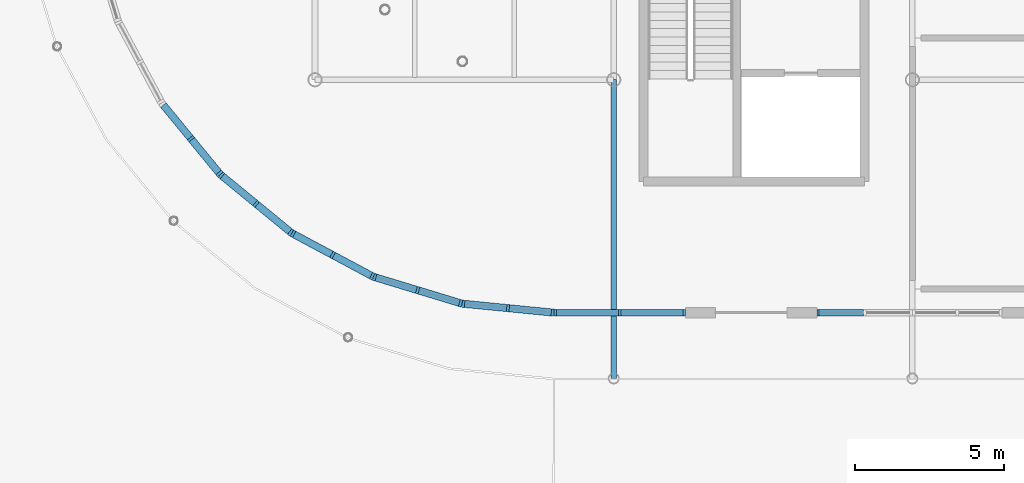
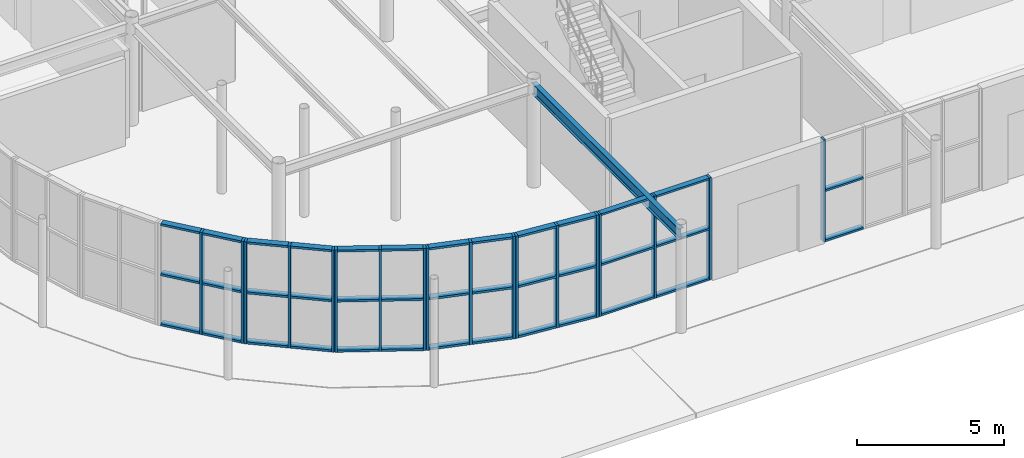
# One storey, part 52 of 119: 56 members, 1 beam, 7 elements without a shape of their own.
"""IFC4 building model written with IfcOpenShell, lengths in metres."""

from ifc_helpers import new_model, si_unit, derived_unit, direction, frame, origin, origin_2d_with_axis, place, context, subcontext, project, spatial, rectangle, i_section, extrude, material, material_profile, profile_set, type_object, element, aggregate, save


model = new_model("IFC4")

# Units and contexts
model_context = context("Model", 3, precision=1e-05, world=origin(), true_north=direction((0.0, 1.0)))
body_context = subcontext(model_context, "Body", "Model", "MODEL_VIEW")
ifc_project = project(units=[si_unit("LENGTHUNIT", "METRE"), si_unit("AREAUNIT", "SQUARE_METRE"), si_unit("VOLUMEUNIT", "CUBIC_METRE"), si_unit("PLANEANGLEUNIT", "RADIAN"), si_unit("MASSUNIT", "GRAM", prefix="KILO"), derived_unit("THERMALTRANSMITTANCEUNIT", [(si_unit("POWERUNIT", "WATT"), 1), (si_unit("LENGTHUNIT", "METRE"), -2), (si_unit("THERMODYNAMICTEMPERATUREUNIT", "KELVIN"), -1)])], contexts=[model_context])

# Site, building, storey
site_placement = place(None, origin())
site = spatial("IfcSite", under=ifc_project, at=site_placement, CompositionType="ELEMENT")
building_placement = place(site_placement, origin())
building = spatial("IfcBuilding", under=site, at=building_placement, Name="Cinnabar Yard Market Hall", CompositionType="ELEMENT")
storey_placement = place(building_placement, origin())
storey = spatial("IfcBuildingStorey", under=building, at=storey_placement, Name="L00", CompositionType="ELEMENT", Elevation=0.0)

# Beam
ifc_material_1 = material(Name="Steel Grade 300 (300 MPa)", Category="steel")
ifc_material_profile_1 = material_profile(ifc_material_1, i_section(OverallWidth=0.18994140625, OverallDepth=0.453857421875, WebThickness=0.008544921875, FlangeThickness=0.0126953125, FilletRadius=0.011474609375, at=origin_2d_with_axis()), Name="460UB67.1")
ifc_profile_set_1 = profile_set([ifc_material_profile_1], Name="Steel Grade 300 (300 MPa)")
beam_type = type_object("IfcBeamType", Name="BM-B05E", PredefinedType="BEAM", material=ifc_profile_set_1)
beam_placement = place(storey_placement, frame((86.0, 24.0, 4.01318359375), z_axis=(0.0, -1.0, 0.0), x_axis=(1.0, 0.0, 0.0)))
element("IfcBeam", 1, at=beam_placement, inside=storey, type_object=beam_type, Name="L00 Gallery South Tie 00182", PredefinedType="BEAM", context=body_context, shape_type="SweptSolid", body=[
    extrude(i_section(OverallWidth=0.18994140625, OverallDepth=0.453857421875, WebThickness=0.008544921875, FlangeThickness=0.0126953125, FilletRadius=0.011474609375, at=origin_2d_with_axis()), origin(), (0.0, 0.0, 1.0), 10.0),
])

# Curtain wall, members
ifc_material_2 = material(Name="Anodised bronze aluminium curved-chord facade", Category="aluminium")
curtain_wall_type_1 = type_object("IfcCurtainWallType", Name="CW-CWC031x42", PredefinedType="NOTDEFINED", material=ifc_material_2)
curtain_wall_1_placement = place(storey_placement, origin())
curtain_wall_1 = element("IfcCurtainWall", 2, at=curtain_wall_1_placement, inside=storey, type_object=curtain_wall_type_1, Name="Corner SW Chord 4 L00", PredefinedType="NOTDEFINED")
ifc_material_3 = material(Name="Anodised bronze aluminium", Category="aluminium")
ifc_material_profile_2 = material_profile(ifc_material_3, rectangle(XDim=0.239990234375, YDim=0.090087890625, at=origin_2d_with_axis()), Name="MUL-CWC")
ifc_profile_set_2 = profile_set([ifc_material_profile_2], Name="Anodised bronze aluminium")
member_type_1 = type_object("IfcMemberType", Name="CWM-CWC", PredefinedType="MULLION", material=ifc_profile_set_2)
member_1_placement = place(storey_placement, frame((71.84521484375, 22.02490234375, 0.0), z_axis=(0.0, 0.0, 1.0), x_axis=(0.773018564222, 0.634383400924, 0.0)))
member_1 = element("IfcMember", 3, at=member_1_placement, type_object=member_type_1, Name="CWC031x42 mullion 2", PredefinedType="MULLION", context=body_context, shape_type="SweptSolid", body=[
    extrude(rectangle(XDim=0.239990234375, YDim=0.090087890625, at=origin_2d_with_axis()), origin(), (0.0, 0.0, 1.0), 4.239990234375),
])
member_2_placement = place(storey_placement, frame((72.799072265625, 20.862548828125, 0.0), z_axis=(0.0, 0.0, 1.0), x_axis=(0.773018564222, 0.634383400924, 0.0)))
member_2 = element("IfcMember", 4, at=member_2_placement, type_object=member_type_1, Name="CWC031x42 mullion 3", PredefinedType="MULLION", context=body_context, shape_type="SweptSolid", body=[
    extrude(rectangle(XDim=0.239990234375, YDim=0.090087890625, at=origin_2d_with_axis()), origin(), (0.0, 0.0, 1.0), 4.239990234375),
])

curtain_wall_2_placement = place(storey_placement, origin())
curtain_wall_2 = element("IfcCurtainWall", 5, at=curtain_wall_2_placement, inside=storey, type_object=curtain_wall_type_1, Name="Corner SW Chord 5 L00", PredefinedType="NOTDEFINED")
member_3_placement = place(storey_placement, frame((72.862548828125, 20.799072265625, 0.0), z_axis=(0.0, 0.0, 1.0), x_axis=(0.634383400924, 0.773018564222, 0.0)))
member_3 = element("IfcMember", 6, at=member_3_placement, type_object=member_type_1, Name="CWC031x42 mullion 1", PredefinedType="MULLION", context=body_context, shape_type="SweptSolid", body=[
    extrude(rectangle(XDim=0.239990234375, YDim=0.090087890625, at=origin_2d_with_axis()), origin(), (0.0, 0.0, 1.0), 4.239990234375),
])
member_4_placement = place(storey_placement, frame((74.02490234375, 19.84521484375, 0.0), z_axis=(0.0, 0.0, 1.0), x_axis=(0.634383400924, 0.773018564222, 0.0)))
member_4 = element("IfcMember", 7, at=member_4_placement, type_object=member_type_1, Name="CWC031x42 mullion 2", PredefinedType="MULLION", context=body_context, shape_type="SweptSolid", body=[
    extrude(rectangle(XDim=0.239990234375, YDim=0.090087890625, at=origin_2d_with_axis()), origin(), (0.0, 0.0, 1.0), 4.239990234375),
])
member_5_placement = place(storey_placement, frame((75.187255859375, 18.891357421875, 0.0), z_axis=(0.0, 0.0, 1.0), x_axis=(0.634383400924, 0.773018564222, 0.0)))
member_5 = element("IfcMember", 8, at=member_5_placement, type_object=member_type_1, Name="CWC031x42 mullion 3", PredefinedType="MULLION", context=body_context, shape_type="SweptSolid", body=[
    extrude(rectangle(XDim=0.239990234375, YDim=0.090087890625, at=origin_2d_with_axis()), origin(), (0.0, 0.0, 1.0), 4.239990234375),
])

curtain_wall_3_placement = place(storey_placement, origin())
curtain_wall_3 = element("IfcCurtainWall", 9, at=curtain_wall_3_placement, inside=storey, type_object=curtain_wall_type_1, Name="Corner SW Chord 6 L00", PredefinedType="NOTDEFINED")
member_6_placement = place(storey_placement, frame((75.26171875, 18.841552734375, 0.0), z_axis=(0.0, 0.0, 1.0), x_axis=(0.471404114786, 0.881917320707, 0.0)))
member_6 = element("IfcMember", 10, at=member_6_placement, type_object=member_type_1, Name="CWC031x42 mullion 1", PredefinedType="MULLION", context=body_context, shape_type="SweptSolid", body=[
    extrude(rectangle(XDim=0.239990234375, YDim=0.090087890625, at=origin_2d_with_axis()), origin(), (0.0, 0.0, 1.0), 4.239990234375),
])
member_7_placement = place(storey_placement, frame((76.587890625, 18.1328125, 0.0), z_axis=(0.0, 0.0, 1.0), x_axis=(0.471404114786, 0.881917320707, 0.0)))
member_7 = element("IfcMember", 11, at=member_7_placement, type_object=member_type_1, Name="CWC031x42 mullion 2", PredefinedType="MULLION", context=body_context, shape_type="SweptSolid", body=[
    extrude(rectangle(XDim=0.239990234375, YDim=0.090087890625, at=origin_2d_with_axis()), origin(), (0.0, 0.0, 1.0), 4.239990234375),
])
member_8_placement = place(storey_placement, frame((77.913818359375, 17.423828125, 0.0), z_axis=(0.0, 0.0, 1.0), x_axis=(0.471404114786, 0.881917320707, 0.0)))
member_8 = element("IfcMember", 12, at=member_8_placement, type_object=member_type_1, Name="CWC031x42 mullion 3", PredefinedType="MULLION", context=body_context, shape_type="SweptSolid", body=[
    extrude(rectangle(XDim=0.239990234375, YDim=0.090087890625, at=origin_2d_with_axis()), origin(), (0.0, 0.0, 1.0), 4.239990234375),
])

curtain_wall_4_placement = place(storey_placement, origin())
curtain_wall_4 = element("IfcCurtainWall", 13, at=curtain_wall_4_placement, inside=storey, type_object=curtain_wall_type_1, Name="Corner SW Chord 7 L00", PredefinedType="NOTDEFINED")
member_9_placement = place(storey_placement, frame((77.99658203125, 17.3896484375, 0.0), z_axis=(0.0, 0.0, 1.0), x_axis=(0.290278891325, 0.956942090856, 0.0)))
member_9 = element("IfcMember", 14, at=member_9_placement, type_object=member_type_1, Name="CWC031x42 mullion 1", PredefinedType="MULLION", context=body_context, shape_type="SweptSolid", body=[
    extrude(rectangle(XDim=0.239990234375, YDim=0.090087890625, at=origin_2d_with_axis()), origin(), (0.0, 0.0, 1.0), 4.239990234375),
])
member_10_placement = place(storey_placement, frame((79.435546875, 16.953125, 0.0), z_axis=(0.0, 0.0, 1.0), x_axis=(0.290278891325, 0.956942090856, 0.0)))
member_10 = element("IfcMember", 15, at=member_10_placement, type_object=member_type_1, Name="CWC031x42 mullion 2", PredefinedType="MULLION", context=body_context, shape_type="SweptSolid", body=[
    extrude(rectangle(XDim=0.239990234375, YDim=0.090087890625, at=origin_2d_with_axis()), origin(), (0.0, 0.0, 1.0), 4.239990234375),
])
member_11_placement = place(storey_placement, frame((80.87451171875, 16.5166015625, 0.0), z_axis=(0.0, 0.0, 1.0), x_axis=(0.290278891325, 0.956942090856, 0.0)))
member_11 = element("IfcMember", 16, at=member_11_placement, type_object=member_type_1, Name="CWC031x42 mullion 3", PredefinedType="MULLION", context=body_context, shape_type="SweptSolid", body=[
    extrude(rectangle(XDim=0.239990234375, YDim=0.090087890625, at=origin_2d_with_axis()), origin(), (0.0, 0.0, 1.0), 4.239990234375),
])

curtain_wall_5_placement = place(storey_placement, origin())
curtain_wall_5 = element("IfcCurtainWall", 17, at=curtain_wall_5_placement, inside=storey, type_object=curtain_wall_type_1, Name="Corner SW Chord 8 L00", PredefinedType="NOTDEFINED")
member_12_placement = place(storey_placement, frame((80.96240234375, 16.499267578125, 0.0), z_axis=(0.0, 0.0, 1.0), x_axis=(0.098020369342, 0.995184408637, 0.0)))
member_12 = element("IfcMember", 18, at=member_12_placement, type_object=member_type_1, Name="CWC031x42 mullion 1", PredefinedType="MULLION", context=body_context, shape_type="SweptSolid", body=[
    extrude(rectangle(XDim=0.239990234375, YDim=0.090087890625, at=origin_2d_with_axis()), origin(), (0.0, 0.0, 1.0), 4.239990234375),
])
member_13_placement = place(storey_placement, frame((82.458740234375, 16.351806640625, 0.0), z_axis=(0.0, 0.0, 1.0), x_axis=(0.098020369342, 0.995184408637, 0.0)))
member_13 = element("IfcMember", 19, at=member_13_placement, type_object=member_type_1, Name="CWC031x42 mullion 2", PredefinedType="MULLION", context=body_context, shape_type="SweptSolid", body=[
    extrude(rectangle(XDim=0.239990234375, YDim=0.090087890625, at=origin_2d_with_axis()), origin(), (0.0, 0.0, 1.0), 4.239990234375),
])
member_14_placement = place(storey_placement, frame((83.955322265625, 16.204345703125, 0.0), z_axis=(0.0, 0.0, 1.0), x_axis=(0.098020369342, 0.995184408637, 0.0)))
member_14 = element("IfcMember", 20, at=member_14_placement, type_object=member_type_1, Name="CWC031x42 mullion 3", PredefinedType="MULLION", context=body_context, shape_type="SweptSolid", body=[
    extrude(rectangle(XDim=0.239990234375, YDim=0.090087890625, at=origin_2d_with_axis()), origin(), (0.0, 0.0, 1.0), 4.239990234375),
])

ifc_material_4 = material(Name="Anodised bronze aluminium and low-E glass", Category="aluminium")
curtain_wall_type_2 = type_object("IfcCurtainWallType", Name="CW-CWH044x42", PredefinedType="NOTDEFINED", material=ifc_material_4)
curtain_wall_6_placement = place(storey_placement, origin())
curtain_wall_6 = element("IfcCurtainWall", 21, at=curtain_wall_6_placement, inside=storey, type_object=curtain_wall_type_2, Name="Market Hall South Ground Glazing B1A", PredefinedType="NOTDEFINED")
ifc_material_profile_3 = material_profile(ifc_material_3, rectangle(XDim=0.219970703125, YDim=0.080078125, at=origin_2d_with_axis()), Name="MUL-CWH")
ifc_profile_set_3 = profile_set([ifc_material_profile_3], Name="Anodised bronze aluminium")
member_type_2 = type_object("IfcMemberType", Name="CWM-CWH", PredefinedType="MULLION", material=ifc_profile_set_3)
member_15_placement = place(storey_placement, frame((84.0400390625, 16.199951171875, 0.0), z_axis=(0.0, 0.0, 1.0), x_axis=(0.0, 1.0, 0.0)))
member_15 = element("IfcMember", 22, at=member_15_placement, type_object=member_type_2, Name="CWH044x42 mullion 1", PredefinedType="MULLION", context=body_context, shape_type="SweptSolid", body=[
    extrude(rectangle(XDim=0.219970703125, YDim=0.080078125, at=origin_2d_with_axis()), origin(), (0.0, 0.0, 1.0), 4.239990234375),
])
member_16_placement = place(storey_placement, frame((86.199951171875, 16.199951171875, 0.0), z_axis=(0.0, 0.0, 1.0), x_axis=(0.0, 1.0, 0.0)))
member_16 = element("IfcMember", 23, at=member_16_placement, type_object=member_type_2, Name="CWH044x42 mullion 2", PredefinedType="MULLION", context=body_context, shape_type="SweptSolid", body=[
    extrude(rectangle(XDim=0.219970703125, YDim=0.080078125, at=origin_2d_with_axis()), origin(), (0.0, 0.0, 1.0), 4.239990234375),
])
member_17_placement = place(storey_placement, frame((88.360107421875, 16.199951171875, 0.0), z_axis=(0.0, 0.0, 1.0), x_axis=(0.0, 1.0, 0.0)))
member_17 = element("IfcMember", 24, at=member_17_placement, type_object=member_type_2, Name="CWH044x42 mullion 3", PredefinedType="MULLION", context=body_context, shape_type="SweptSolid", body=[
    extrude(rectangle(XDim=0.219970703125, YDim=0.080078125, at=origin_2d_with_axis()), origin(), (0.0, 0.0, 1.0), 4.239990234375),
])

# Curtain wall, member
curtain_wall_type_3 = type_object("IfcCurtainWallType", Name="CW-CWH032x42", PredefinedType="NOTDEFINED", material=ifc_material_4)
curtain_wall_7_placement = place(storey_placement, origin())
curtain_wall_7 = element("IfcCurtainWall", 25, at=curtain_wall_7_placement, inside=storey, type_object=curtain_wall_type_3, Name="Market Hall South Ground Glazing B1B", PredefinedType="NOTDEFINED")
member_18_placement = place(storey_placement, frame((92.840087890625, 16.199951171875, 0.0), z_axis=(0.0, 0.0, 1.0), x_axis=(0.0, 1.0, 0.0)))
member_18 = element("IfcMember", 26, at=member_18_placement, type_object=member_type_2, Name="CWH032x42 mullion 1", PredefinedType="MULLION", context=body_context, shape_type="SweptSolid", body=[
    extrude(rectangle(XDim=0.219970703125, YDim=0.080078125, at=origin_2d_with_axis()), origin(), (0.0, 0.0, 1.0), 4.239990234375),
])

# Member
ifc_material_profile_4 = material_profile(ifc_material_3, rectangle(XDim=0.239990234375, YDim=0.090087890625, at=origin_2d_with_axis()), Name="TRN-CWC")
ifc_profile_set_4 = profile_set([ifc_material_profile_4], Name="Anodised bronze aluminium")
member_type_3 = type_object("IfcMemberType", Name="CWT-CWC", PredefinedType="USERDEFINED", material=ifc_profile_set_4)
member_19_placement = place(storey_placement, frame((70.919921875, 23.15234375, 0.044921875), z_axis=(0.634356309919, -0.773040795861, 0.0), x_axis=(0.773040795861, 0.634356309919, 0.0)))
member_19 = element("IfcMember", 27, at=member_19_placement, type_object=member_type_3, Name="CWC031x42 transom 1.1", ObjectType="TRANSOM", PredefinedType="USERDEFINED", context=body_context, shape_type="SweptSolid", body=[
    extrude(rectangle(XDim=0.239990234375, YDim=0.090087890625, at=origin_2d_with_axis()), origin(), (0.0, 0.0, 1.0), 1.41357421875),
])

member_20_placement = place(storey_placement, frame((70.919921875, 23.15234375, 2.1201171875), z_axis=(0.634356309919, -0.773040795861, 0.0), x_axis=(0.773040795861, 0.634356309919, 0.0)))
member_20 = element("IfcMember", 28, at=member_20_placement, type_object=member_type_3, Name="CWC031x42 transom 1.2", ObjectType="TRANSOM", PredefinedType="USERDEFINED", context=body_context, shape_type="SweptSolid", body=[
    extrude(rectangle(XDim=0.239990234375, YDim=0.090087890625, at=origin_2d_with_axis()), origin(), (0.0, 0.0, 1.0), 1.41357421875),
])

member_21_placement = place(storey_placement, frame((70.919921875, 23.15234375, 4.195068359375), z_axis=(0.634356309919, -0.773040795861, 0.0), x_axis=(0.773040795861, 0.634356309919, 0.0)))
member_21 = element("IfcMember", 29, at=member_21_placement, type_object=member_type_3, Name="CWC031x42 transom 1.3", ObjectType="TRANSOM", PredefinedType="USERDEFINED", context=body_context, shape_type="SweptSolid", body=[
    extrude(rectangle(XDim=0.239990234375, YDim=0.090087890625, at=origin_2d_with_axis()), origin(), (0.0, 0.0, 1.0), 1.41357421875),
])

member_22_placement = place(storey_placement, frame((71.873779296875, 21.989990234375, 0.044921875), z_axis=(0.634356309919, -0.773040795861, 0.0), x_axis=(0.773040795861, 0.634356309919, 0.0)))
member_22 = element("IfcMember", 30, at=member_22_placement, type_object=member_type_3, Name="CWC031x42 transom 2.1", ObjectType="TRANSOM", PredefinedType="USERDEFINED", context=body_context, shape_type="SweptSolid", body=[
    extrude(rectangle(XDim=0.239990234375, YDim=0.090087890625, at=origin_2d_with_axis()), origin(), (0.0, 0.0, 1.0), 1.41357421875),
])

member_23_placement = place(storey_placement, frame((71.873779296875, 21.989990234375, 2.1201171875), z_axis=(0.634356309919, -0.773040795861, 0.0), x_axis=(0.773040795861, 0.634356309919, 0.0)))
member_23 = element("IfcMember", 31, at=member_23_placement, type_object=member_type_3, Name="CWC031x42 transom 2.2", ObjectType="TRANSOM", PredefinedType="USERDEFINED", context=body_context, shape_type="SweptSolid", body=[
    extrude(rectangle(XDim=0.239990234375, YDim=0.090087890625, at=origin_2d_with_axis()), origin(), (0.0, 0.0, 1.0), 1.41357421875),
])

member_24_placement = place(storey_placement, frame((71.873779296875, 21.989990234375, 4.195068359375), z_axis=(0.634356309919, -0.773040795861, 0.0), x_axis=(0.773040795861, 0.634356309919, 0.0)))
member_24 = element("IfcMember", 32, at=member_24_placement, type_object=member_type_3, Name="CWC031x42 transom 2.3", ObjectType="TRANSOM", PredefinedType="USERDEFINED", context=body_context, shape_type="SweptSolid", body=[
    extrude(rectangle(XDim=0.239990234375, YDim=0.090087890625, at=origin_2d_with_axis()), origin(), (0.0, 0.0, 1.0), 1.41357421875),
])

aggregate(curtain_wall_1, [member_1, member_2, member_19, member_20, member_21, member_22, member_23, member_24])

member_25_placement = place(storey_placement, frame((72.897216796875, 20.7705078125, 0.044921875), z_axis=(0.773040795861, -0.634356309919, 0.0), x_axis=(0.634356309919, 0.773040795861, 0.0)))
member_25 = element("IfcMember", 33, at=member_25_placement, type_object=member_type_3, Name="CWC031x42 transom 1.1", ObjectType="TRANSOM", PredefinedType="USERDEFINED", context=body_context, shape_type="SweptSolid", body=[
    extrude(rectangle(XDim=0.239990234375, YDim=0.090087890625, at=origin_2d_with_axis()), origin(), (0.0, 0.0, 1.0), 1.41357421875),
])

member_26_placement = place(storey_placement, frame((72.897216796875, 20.7705078125, 2.1201171875), z_axis=(0.773040795861, -0.634356309919, 0.0), x_axis=(0.634356309919, 0.773040795861, 0.0)))
member_26 = element("IfcMember", 34, at=member_26_placement, type_object=member_type_3, Name="CWC031x42 transom 1.2", ObjectType="TRANSOM", PredefinedType="USERDEFINED", context=body_context, shape_type="SweptSolid", body=[
    extrude(rectangle(XDim=0.239990234375, YDim=0.090087890625, at=origin_2d_with_axis()), origin(), (0.0, 0.0, 1.0), 1.41357421875),
])

member_27_placement = place(storey_placement, frame((72.897216796875, 20.7705078125, 4.195068359375), z_axis=(0.773040795861, -0.634356309919, 0.0), x_axis=(0.634356309919, 0.773040795861, 0.0)))
member_27 = element("IfcMember", 35, at=member_27_placement, type_object=member_type_3, Name="CWC031x42 transom 1.3", ObjectType="TRANSOM", PredefinedType="USERDEFINED", context=body_context, shape_type="SweptSolid", body=[
    extrude(rectangle(XDim=0.239990234375, YDim=0.090087890625, at=origin_2d_with_axis()), origin(), (0.0, 0.0, 1.0), 1.41357421875),
])

member_28_placement = place(storey_placement, frame((74.0595703125, 19.816650390625, 0.044921875), z_axis=(0.773040795861, -0.634356309919, 0.0), x_axis=(0.634356309919, 0.773040795861, 0.0)))
member_28 = element("IfcMember", 36, at=member_28_placement, type_object=member_type_3, Name="CWC031x42 transom 2.1", ObjectType="TRANSOM", PredefinedType="USERDEFINED", context=body_context, shape_type="SweptSolid", body=[
    extrude(rectangle(XDim=0.239990234375, YDim=0.090087890625, at=origin_2d_with_axis()), origin(), (0.0, 0.0, 1.0), 1.41357421875),
])

member_29_placement = place(storey_placement, frame((74.0595703125, 19.816650390625, 2.1201171875), z_axis=(0.773040795861, -0.634356309919, 0.0), x_axis=(0.634356309919, 0.773040795861, 0.0)))
member_29 = element("IfcMember", 37, at=member_29_placement, type_object=member_type_3, Name="CWC031x42 transom 2.2", ObjectType="TRANSOM", PredefinedType="USERDEFINED", context=body_context, shape_type="SweptSolid", body=[
    extrude(rectangle(XDim=0.239990234375, YDim=0.090087890625, at=origin_2d_with_axis()), origin(), (0.0, 0.0, 1.0), 1.41357421875),
])

member_30_placement = place(storey_placement, frame((74.0595703125, 19.816650390625, 4.195068359375), z_axis=(0.773040795861, -0.634356309919, 0.0), x_axis=(0.634356309919, 0.773040795861, 0.0)))
member_30 = element("IfcMember", 38, at=member_30_placement, type_object=member_type_3, Name="CWC031x42 transom 2.3", ObjectType="TRANSOM", PredefinedType="USERDEFINED", context=body_context, shape_type="SweptSolid", body=[
    extrude(rectangle(XDim=0.239990234375, YDim=0.090087890625, at=origin_2d_with_axis()), origin(), (0.0, 0.0, 1.0), 1.41357421875),
])

aggregate(curtain_wall_2, [member_3, member_4, member_5, member_25, member_26, member_27, member_28, member_29, member_30])

member_31_placement = place(storey_placement, frame((75.30126953125, 18.8203125, 0.044921875), z_axis=(0.881974989496, -0.471296210365, 0.0), x_axis=(0.471296210365, 0.881974989496, 0.0)))
member_31 = element("IfcMember", 39, at=member_31_placement, type_object=member_type_3, Name="CWC031x42 transom 1.1", ObjectType="TRANSOM", PredefinedType="USERDEFINED", context=body_context, shape_type="SweptSolid", body=[
    extrude(rectangle(XDim=0.239990234375, YDim=0.090087890625, at=origin_2d_with_axis()), origin(), (0.0, 0.0, 1.0), 1.41357421875),
])

member_32_placement = place(storey_placement, frame((75.30126953125, 18.8203125, 2.1201171875), z_axis=(0.881974989496, -0.471296210365, 0.0), x_axis=(0.471296210365, 0.881974989496, 0.0)))
member_32 = element("IfcMember", 40, at=member_32_placement, type_object=member_type_3, Name="CWC031x42 transom 1.2", ObjectType="TRANSOM", PredefinedType="USERDEFINED", context=body_context, shape_type="SweptSolid", body=[
    extrude(rectangle(XDim=0.239990234375, YDim=0.090087890625, at=origin_2d_with_axis()), origin(), (0.0, 0.0, 1.0), 1.41357421875),
])

member_33_placement = place(storey_placement, frame((75.30126953125, 18.8203125, 4.195068359375), z_axis=(0.881974989496, -0.471296210365, 0.0), x_axis=(0.471296210365, 0.881974989496, 0.0)))
member_33 = element("IfcMember", 41, at=member_33_placement, type_object=member_type_3, Name="CWC031x42 transom 1.3", ObjectType="TRANSOM", PredefinedType="USERDEFINED", context=body_context, shape_type="SweptSolid", body=[
    extrude(rectangle(XDim=0.239990234375, YDim=0.090087890625, at=origin_2d_with_axis()), origin(), (0.0, 0.0, 1.0), 1.41357421875),
])

member_34_placement = place(storey_placement, frame((76.62744140625, 18.111572265625, 0.044921875), z_axis=(0.881903198965, -0.471430533224, 0.0), x_axis=(0.471430533224, 0.881903198965, 0.0)))
member_34 = element("IfcMember", 42, at=member_34_placement, type_object=member_type_3, Name="CWC031x42 transom 2.1", ObjectType="TRANSOM", PredefinedType="USERDEFINED", context=body_context, shape_type="SweptSolid", body=[
    extrude(rectangle(XDim=0.239990234375, YDim=0.090087890625, at=origin_2d_with_axis()), origin(), (0.0, 0.0, 1.0), 1.413818359375),
])

member_35_placement = place(storey_placement, frame((76.62744140625, 18.111572265625, 2.1201171875), z_axis=(0.881903198965, -0.471430533224, 0.0), x_axis=(0.471430533224, 0.881903198965, 0.0)))
member_35 = element("IfcMember", 43, at=member_35_placement, type_object=member_type_3, Name="CWC031x42 transom 2.2", ObjectType="TRANSOM", PredefinedType="USERDEFINED", context=body_context, shape_type="SweptSolid", body=[
    extrude(rectangle(XDim=0.239990234375, YDim=0.090087890625, at=origin_2d_with_axis()), origin(), (0.0, 0.0, 1.0), 1.413818359375),
])

member_36_placement = place(storey_placement, frame((76.62744140625, 18.111572265625, 4.195068359375), z_axis=(0.881903198965, -0.471430533224, 0.0), x_axis=(0.471430533224, 0.881903198965, 0.0)))
member_36 = element("IfcMember", 44, at=member_36_placement, type_object=member_type_3, Name="CWC031x42 transom 2.3", ObjectType="TRANSOM", PredefinedType="USERDEFINED", context=body_context, shape_type="SweptSolid", body=[
    extrude(rectangle(XDim=0.239990234375, YDim=0.090087890625, at=origin_2d_with_axis()), origin(), (0.0, 0.0, 1.0), 1.413818359375),
])

aggregate(curtain_wall_3, [member_6, member_7, member_8, member_31, member_32, member_33, member_34, member_35, member_36])

member_37_placement = place(storey_placement, frame((78.039794921875, 17.37646484375, 0.044921875), z_axis=(0.956980816915, -0.290151195166, 0.0), x_axis=(0.290151195166, 0.956980816915, 0.0)))
member_37 = element("IfcMember", 45, at=member_37_placement, type_object=member_type_3, Name="CWC031x42 transom 1.1", ObjectType="TRANSOM", PredefinedType="USERDEFINED", context=body_context, shape_type="SweptSolid", body=[
    extrude(rectangle(XDim=0.239990234375, YDim=0.090087890625, at=origin_2d_with_axis()), origin(), (0.0, 0.0, 1.0), 1.41357421875),
])

member_38_placement = place(storey_placement, frame((78.039794921875, 17.37646484375, 2.1201171875), z_axis=(0.956980816915, -0.290151195166, 0.0), x_axis=(0.290151195166, 0.956980816915, 0.0)))
member_38 = element("IfcMember", 46, at=member_38_placement, type_object=member_type_3, Name="CWC031x42 transom 1.2", ObjectType="TRANSOM", PredefinedType="USERDEFINED", context=body_context, shape_type="SweptSolid", body=[
    extrude(rectangle(XDim=0.239990234375, YDim=0.090087890625, at=origin_2d_with_axis()), origin(), (0.0, 0.0, 1.0), 1.41357421875),
])

member_39_placement = place(storey_placement, frame((78.039794921875, 17.37646484375, 4.195068359375), z_axis=(0.956980816915, -0.290151195166, 0.0), x_axis=(0.290151195166, 0.956980816915, 0.0)))
member_39 = element("IfcMember", 47, at=member_39_placement, type_object=member_type_3, Name="CWC031x42 transom 1.3", ObjectType="TRANSOM", PredefinedType="USERDEFINED", context=body_context, shape_type="SweptSolid", body=[
    extrude(rectangle(XDim=0.239990234375, YDim=0.090087890625, at=origin_2d_with_axis()), origin(), (0.0, 0.0, 1.0), 1.41357421875),
])

member_40_placement = place(storey_placement, frame((79.478759765625, 16.940185546875, 0.044921875), z_axis=(0.956932850279, -0.290309352341, 0.0), x_axis=(0.290309352341, 0.956932850279, 0.0)))
member_40 = element("IfcMember", 48, at=member_40_placement, type_object=member_type_3, Name="CWC031x42 transom 2.1", ObjectType="TRANSOM", PredefinedType="USERDEFINED", context=body_context, shape_type="SweptSolid", body=[
    extrude(rectangle(XDim=0.239990234375, YDim=0.090087890625, at=origin_2d_with_axis()), origin(), (0.0, 0.0, 1.0), 1.41357421875),
])

member_41_placement = place(storey_placement, frame((79.478759765625, 16.940185546875, 2.1201171875), z_axis=(0.956932850279, -0.290309352341, 0.0), x_axis=(0.290309352341, 0.956932850279, 0.0)))
member_41 = element("IfcMember", 49, at=member_41_placement, type_object=member_type_3, Name="CWC031x42 transom 2.2", ObjectType="TRANSOM", PredefinedType="USERDEFINED", context=body_context, shape_type="SweptSolid", body=[
    extrude(rectangle(XDim=0.239990234375, YDim=0.090087890625, at=origin_2d_with_axis()), origin(), (0.0, 0.0, 1.0), 1.41357421875),
])

member_42_placement = place(storey_placement, frame((79.478759765625, 16.940185546875, 4.195068359375), z_axis=(0.956932850279, -0.290309352341, 0.0), x_axis=(0.290309352341, 0.956932850279, 0.0)))
member_42 = element("IfcMember", 50, at=member_42_placement, type_object=member_type_3, Name="CWC031x42 transom 2.3", ObjectType="TRANSOM", PredefinedType="USERDEFINED", context=body_context, shape_type="SweptSolid", body=[
    extrude(rectangle(XDim=0.239990234375, YDim=0.090087890625, at=origin_2d_with_axis()), origin(), (0.0, 0.0, 1.0), 1.41357421875),
])

aggregate(curtain_wall_4, [member_9, member_10, member_11, member_37, member_38, member_39, member_40, member_41, member_42])

member_43_placement = place(storey_placement, frame((81.007080078125, 16.494873046875, 0.044921875), z_axis=(0.995178086946, -0.098084531214, 0.0), x_axis=(0.098084531214, 0.995178086946, 0.0)))
member_43 = element("IfcMember", 51, at=member_43_placement, type_object=member_type_3, Name="CWC031x42 transom 1.1", ObjectType="TRANSOM", PredefinedType="USERDEFINED", context=body_context, shape_type="SweptSolid", body=[
    extrude(rectangle(XDim=0.239990234375, YDim=0.090087890625, at=origin_2d_with_axis()), origin(), (0.0, 0.0, 1.0), 1.413818359375),
])

member_44_placement = place(storey_placement, frame((81.007080078125, 16.494873046875, 2.1201171875), z_axis=(0.995178086946, -0.098084531214, 0.0), x_axis=(0.098084531214, 0.995178086946, 0.0)))
member_44 = element("IfcMember", 52, at=member_44_placement, type_object=member_type_3, Name="CWC031x42 transom 1.2", ObjectType="TRANSOM", PredefinedType="USERDEFINED", context=body_context, shape_type="SweptSolid", body=[
    extrude(rectangle(XDim=0.239990234375, YDim=0.090087890625, at=origin_2d_with_axis()), origin(), (0.0, 0.0, 1.0), 1.413818359375),
])

member_45_placement = place(storey_placement, frame((81.007080078125, 16.494873046875, 4.195068359375), z_axis=(0.995178086946, -0.098084531214, 0.0), x_axis=(0.098084531214, 0.995178086946, 0.0)))
member_45 = element("IfcMember", 53, at=member_45_placement, type_object=member_type_3, Name="CWC031x42 transom 1.3", ObjectType="TRANSOM", PredefinedType="USERDEFINED", context=body_context, shape_type="SweptSolid", body=[
    extrude(rectangle(XDim=0.239990234375, YDim=0.090087890625, at=origin_2d_with_axis()), origin(), (0.0, 0.0, 1.0), 1.413818359375),
])

member_46_placement = place(storey_placement, frame((82.503662109375, 16.347412109375, 0.044921875), z_axis=(0.995176425197, -0.098101390058, 0.0), x_axis=(0.098101390058, 0.995176425197, 0.0)))
member_46 = element("IfcMember", 54, at=member_46_placement, type_object=member_type_3, Name="CWC031x42 transom 2.1", ObjectType="TRANSOM", PredefinedType="USERDEFINED", context=body_context, shape_type="SweptSolid", body=[
    extrude(rectangle(XDim=0.239990234375, YDim=0.090087890625, at=origin_2d_with_axis()), origin(), (0.0, 0.0, 1.0), 1.41357421875),
])

member_47_placement = place(storey_placement, frame((82.503662109375, 16.347412109375, 2.1201171875), z_axis=(0.995176425197, -0.098101390058, 0.0), x_axis=(0.098101390058, 0.995176425197, 0.0)))
member_47 = element("IfcMember", 55, at=member_47_placement, type_object=member_type_3, Name="CWC031x42 transom 2.2", ObjectType="TRANSOM", PredefinedType="USERDEFINED", context=body_context, shape_type="SweptSolid", body=[
    extrude(rectangle(XDim=0.239990234375, YDim=0.090087890625, at=origin_2d_with_axis()), origin(), (0.0, 0.0, 1.0), 1.41357421875),
])

member_48_placement = place(storey_placement, frame((82.503662109375, 16.347412109375, 4.195068359375), z_axis=(0.995176425197, -0.098101390058, 0.0), x_axis=(0.098101390058, 0.995176425197, 0.0)))
member_48 = element("IfcMember", 56, at=member_48_placement, type_object=member_type_3, Name="CWC031x42 transom 2.3", ObjectType="TRANSOM", PredefinedType="USERDEFINED", context=body_context, shape_type="SweptSolid", body=[
    extrude(rectangle(XDim=0.239990234375, YDim=0.090087890625, at=origin_2d_with_axis()), origin(), (0.0, 0.0, 1.0), 1.41357421875),
])

aggregate(curtain_wall_5, [member_12, member_13, member_14, member_43, member_44, member_45, member_46, member_47, member_48])

ifc_material_profile_5 = material_profile(ifc_material_3, rectangle(XDim=0.219970703125, YDim=0.080078125, at=origin_2d_with_axis()), Name="TRN-CWH")
ifc_profile_set_5 = profile_set([ifc_material_profile_5], Name="Anodised bronze aluminium")
member_type_4 = type_object("IfcMemberType", Name="CWT-CWH", PredefinedType="USERDEFINED", material=ifc_profile_set_5)
member_49_placement = place(storey_placement, frame((84.080078125, 16.199951171875, 0.0400390625), z_axis=(1.0, 0.0, 0.0), x_axis=(0.0, 1.0, 0.0)))
member_49 = element("IfcMember", 57, at=member_49_placement, type_object=member_type_4, Name="CWH044x42 transom 1.1", ObjectType="TRANSOM", PredefinedType="USERDEFINED", context=body_context, shape_type="SweptSolid", body=[
    extrude(rectangle(XDim=0.219970703125, YDim=0.080078125, at=origin_2d_with_axis()), origin(), (0.0, 0.0, 1.0), 2.079833984375),
])

member_50_placement = place(storey_placement, frame((84.080078125, 16.199951171875, 2.1201171875), z_axis=(1.0, 0.0, 0.0), x_axis=(0.0, 1.0, 0.0)))
member_50 = element("IfcMember", 58, at=member_50_placement, type_object=member_type_4, Name="CWH044x42 transom 1.2", ObjectType="TRANSOM", PredefinedType="USERDEFINED", context=body_context, shape_type="SweptSolid", body=[
    extrude(rectangle(XDim=0.219970703125, YDim=0.080078125, at=origin_2d_with_axis()), origin(), (0.0, 0.0, 1.0), 2.079833984375),
])

member_51_placement = place(storey_placement, frame((84.080078125, 16.199951171875, 4.199951171875), z_axis=(1.0, 0.0, 0.0), x_axis=(0.0, 1.0, 0.0)))
member_51 = element("IfcMember", 59, at=member_51_placement, type_object=member_type_4, Name="CWH044x42 transom 1.3", ObjectType="TRANSOM", PredefinedType="USERDEFINED", context=body_context, shape_type="SweptSolid", body=[
    extrude(rectangle(XDim=0.219970703125, YDim=0.080078125, at=origin_2d_with_axis()), origin(), (0.0, 0.0, 1.0), 2.079833984375),
])

member_52_placement = place(storey_placement, frame((86.239990234375, 16.199951171875, 0.0400390625), z_axis=(1.0, 0.0, 0.0), x_axis=(0.0, 1.0, 0.0)))
member_52 = element("IfcMember", 60, at=member_52_placement, type_object=member_type_4, Name="CWH044x42 transom 2.1", ObjectType="TRANSOM", PredefinedType="USERDEFINED", context=body_context, shape_type="SweptSolid", body=[
    extrude(rectangle(XDim=0.219970703125, YDim=0.080078125, at=origin_2d_with_axis()), origin(), (0.0, 0.0, 1.0), 2.080078125),
])

member_53_placement = place(storey_placement, frame((86.239990234375, 16.199951171875, 2.1201171875), z_axis=(1.0, 0.0, 0.0), x_axis=(0.0, 1.0, 0.0)))
member_53 = element("IfcMember", 61, at=member_53_placement, type_object=member_type_4, Name="CWH044x42 transom 2.2", ObjectType="TRANSOM", PredefinedType="USERDEFINED", context=body_context, shape_type="SweptSolid", body=[
    extrude(rectangle(XDim=0.219970703125, YDim=0.080078125, at=origin_2d_with_axis()), origin(), (0.0, 0.0, 1.0), 2.080078125),
])

member_54_placement = place(storey_placement, frame((86.239990234375, 16.199951171875, 4.199951171875), z_axis=(1.0, 0.0, 0.0), x_axis=(0.0, 1.0, 0.0)))
member_54 = element("IfcMember", 62, at=member_54_placement, type_object=member_type_4, Name="CWH044x42 transom 2.3", ObjectType="TRANSOM", PredefinedType="USERDEFINED", context=body_context, shape_type="SweptSolid", body=[
    extrude(rectangle(XDim=0.219970703125, YDim=0.080078125, at=origin_2d_with_axis()), origin(), (0.0, 0.0, 1.0), 2.080078125),
])

aggregate(curtain_wall_6, [member_15, member_16, member_17, member_49, member_50, member_51, member_52, member_53, member_54])

member_55_placement = place(storey_placement, frame((92.8798828125, 16.199951171875, 0.0400390625), z_axis=(1.0, 0.0, 0.0), x_axis=(0.0, 1.0, 0.0)))
member_55 = element("IfcMember", 63, at=member_55_placement, type_object=member_type_4, Name="CWH032x42 transom 1.1", ObjectType="TRANSOM", PredefinedType="USERDEFINED", context=body_context, shape_type="SweptSolid", body=[
    extrude(rectangle(XDim=0.219970703125, YDim=0.080078125, at=origin_2d_with_axis()), origin(), (0.0, 0.0, 1.0), 1.480224609375),
])

member_56_placement = place(storey_placement, frame((92.8798828125, 16.199951171875, 2.1201171875), z_axis=(1.0, 0.0, 0.0), x_axis=(0.0, 1.0, 0.0)))
member_56 = element("IfcMember", 64, at=member_56_placement, type_object=member_type_4, Name="CWH032x42 transom 1.2", ObjectType="TRANSOM", PredefinedType="USERDEFINED", context=body_context, shape_type="SweptSolid", body=[
    extrude(rectangle(XDim=0.219970703125, YDim=0.080078125, at=origin_2d_with_axis()), origin(), (0.0, 0.0, 1.0), 1.480224609375),
])

aggregate(curtain_wall_7, [member_18, member_55, member_56])

save(model, "model.ifc")
